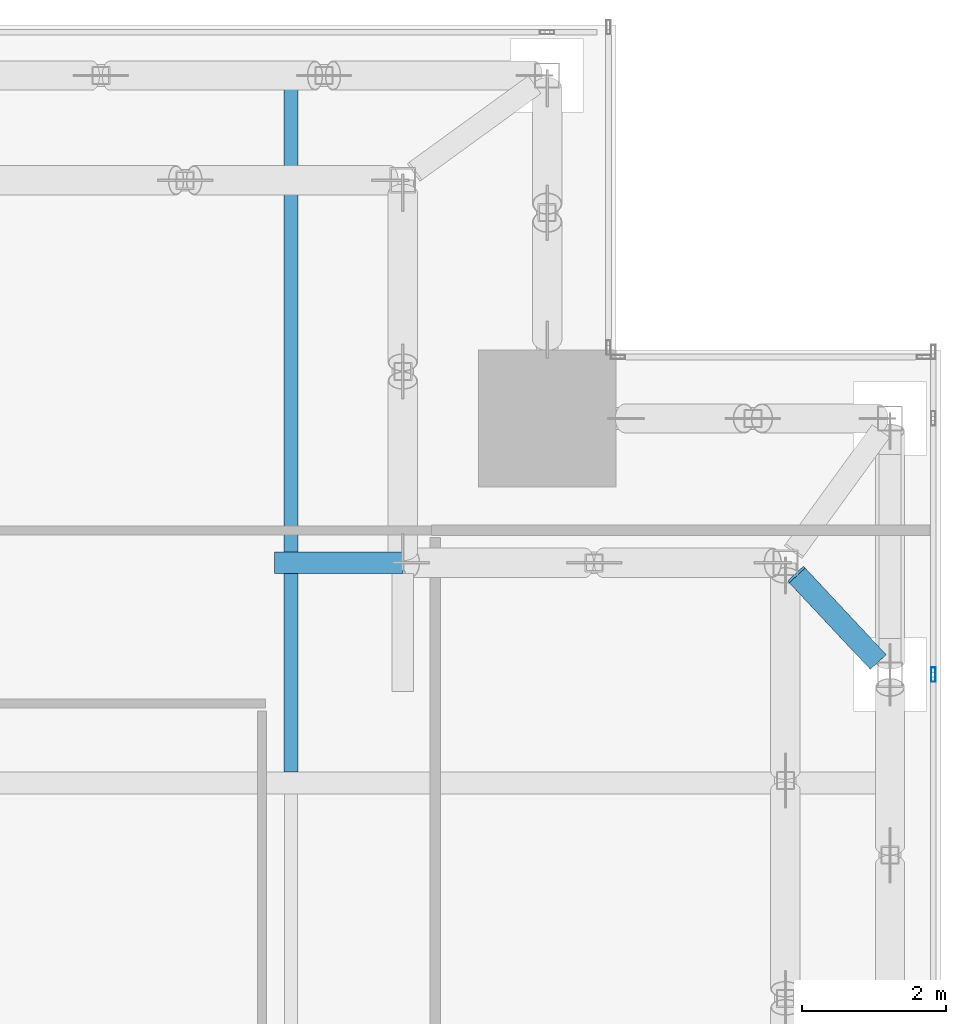
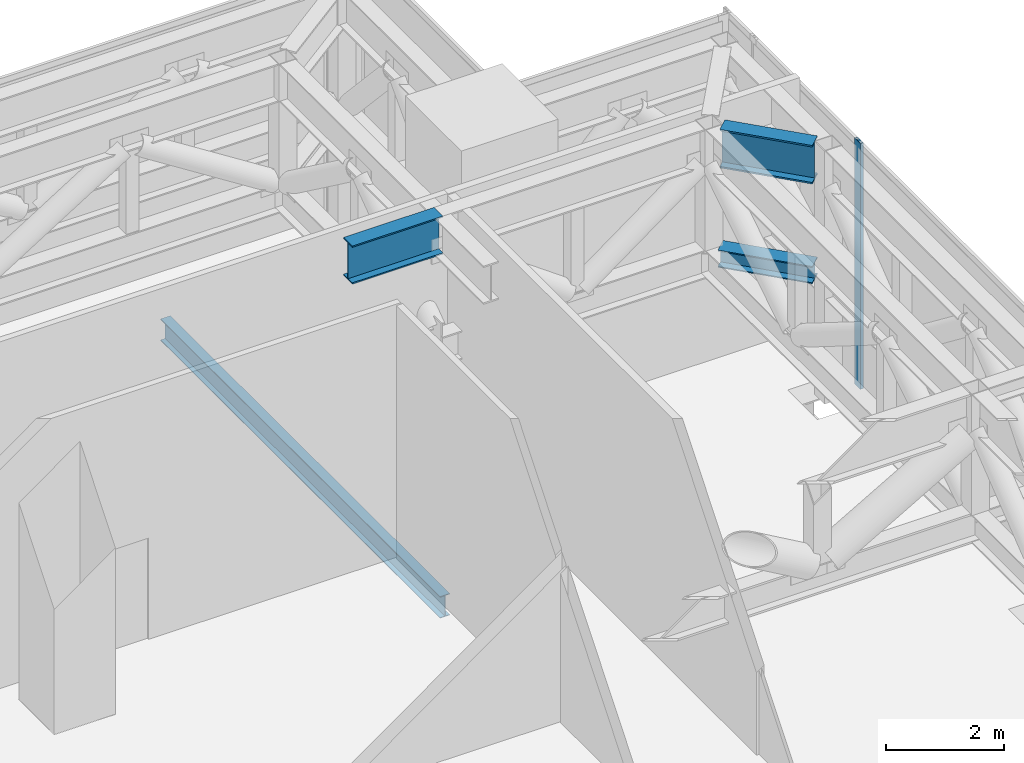
# One storey, part 24 of 36: 3 beams, 2 members, 1 element without a shape of its own.
"""IFC4 building model written with IfcOpenShell, lengths in metres."""

from ifc_helpers import new_model, si_unit, direction, frame, origin, origin_2d, place, context, subcontext, project, spatial, hollow_rectangle, i_section, extrude, source, transform, mapped, material, material_profile, profile_set, type_object, element, aggregate, save


model = new_model("IFC4")

# Units and contexts
model_context = context("Model", 3, precision=1e-05, world=origin(), true_north=direction((0.0, 1.0)))
body_context = subcontext(model_context, "Body", "Model", "MODEL_VIEW")
ifc_project = project(units=[si_unit("LENGTHUNIT", "METRE"), si_unit("AREAUNIT", "SQUARE_METRE"), si_unit("VOLUMEUNIT", "CUBIC_METRE"), si_unit("PLANEANGLEUNIT", "RADIAN"), si_unit("MASSUNIT", "GRAM", prefix="KILO")], contexts=[model_context])

# Site, building, storey
site_placement = place(None, origin())
site = spatial("IfcSite", under=ifc_project, at=site_placement, CompositionType="ELEMENT")
building_placement = place(site_placement, origin())
building = spatial("IfcBuilding", under=site, at=building_placement, Name="Khomas Fold Tower", CompositionType="ELEMENT")
storey_placement = place(building_placement, frame((0.0, 0.0, 216.699951171875)))
storey = spatial("IfcBuildingStorey", under=building, at=storey_placement, Name="L48", CompositionType="ELEMENT", Elevation=216.699951171875)

# Beam
ifc_material_1 = material(Name="Steel S355", Category="steel")
ifc_material_profile_1 = material_profile(ifc_material_1, i_section(OverallWidth=0.18994140625, OverallDepth=0.449951171875, WebThickness=0.009521484375, FlangeThickness=0.0146484375, at=origin_2d()), Name="IPE 450")
ifc_profile_set_1 = profile_set([ifc_material_profile_1], Name="Steel S355")
beam_type_1 = type_object("IfcBeamType", Name="IPE 450 beam JB4", PredefinedType="BEAM", material=ifc_profile_set_1)
shared_shape_1 = source(origin(), body_context, "Body", "SweptSolid", [
    extrude(i_section(OverallWidth=0.18994140625, OverallDepth=0.449951171875, WebThickness=0.009521484375, FlangeThickness=0.0146484375, at=origin_2d()), origin(), (0.0, 0.0, 1.0), 9.5),
])
beam_1_placement = place(storey_placement, frame((42.0, 40.64990234375, -0.625), z_axis=(0.0, 1.0, 0.0), x_axis=(-1.0, 0.0, 0.0)))
element("IfcBeam", 1, at=beam_1_placement, inside=storey, type_object=beam_type_1, Name="JB4", PredefinedType="BEAM", context=body_context, shape_type="MappedRepresentation", body=[
    mapped(shared_shape_1, transform((0.0, 0.0, 0.0))),
])

# Member
ifc_material_2 = material(Name="Steel S355", Category="steel")
ifc_material_profile_2 = material_profile(ifc_material_2, i_section(OverallWidth=0.300048828125, OverallDepth=0.7900390625, WebThickness=0.014892578125, FlangeThickness=0.028076171875, at=origin_2d()), Name="HE 800 A")
ifc_profile_set_2 = profile_set([ifc_material_profile_2], Name="Steel S355")
member_type_1 = type_object("IfcMemberType", Name="BELT TRUSS 3 TOP CHORD SHORTER HE 800 A", PredefinedType="CHORD", material=ifc_profile_set_2)
shared_shape_2 = source(origin(), body_context, "Body", "SweptSolid", [
    extrude(i_section(OverallWidth=0.300048828125, OverallDepth=0.7900390625, WebThickness=0.014892578125, FlangeThickness=0.028076171875, at=origin_2d()), origin(), (0.0, 0.0, 1.0), 1.780029296875),
])
member_1_placement = place(storey_placement, frame((43.550048828125, 43.550048828125, 4.85498046875), z_axis=(-1.0, 0.0, 0.0), x_axis=(0.0, -1.0, 0.0)))
element("IfcMember", 2, at=member_1_placement, inside=storey, type_object=member_type_1, Name="BT3-CTSS", PredefinedType="CHORD", context=body_context, shape_type="MappedRepresentation", body=[
    mapped(shared_shape_2, transform((0.0, 0.0, 0.0))),
])

# Beams
ifc_material_3 = material(Name="Steel S460M", Category="steel")
ifc_material_profile_3 = material_profile(ifc_material_3, i_section(OverallWidth=0.300048828125, OverallDepth=0.800048828125, WebThickness=0.017578125, FlangeThickness=0.032958984375, at=origin_2d()), Name="HE 800 B")
ifc_profile_set_3 = profile_set([ifc_material_profile_3], Name="Steel S460M")
beam_type_2 = type_object("IfcBeamType", Name="BELT TRUSS 3 TOP TRANSFER STRUT HE 800 B", PredefinedType="BEAM", material=ifc_profile_set_3)
shared_shape_3 = source(origin(), body_context, "Body", "SweptSolid", [
    extrude(i_section(OverallWidth=0.300048828125, OverallDepth=0.800048828125, WebThickness=0.017578125, FlangeThickness=0.032958984375, at=origin_2d()), origin(), (0.0, 0.0, 1.0), 1.64306640625),
])
beam_2_placement = place(storey_placement, frame((49.013671875, 43.375, 4.85009765625), z_axis=(0.683164796783, -0.730264240146, 0.0), x_axis=(0.730264240146, 0.683164796783, 0.0)))
element("IfcBeam", 3, at=beam_2_placement, inside=storey, type_object=beam_type_2, Name="BT3-STD", PredefinedType="BEAM", context=body_context, shape_type="MappedRepresentation", body=[
    mapped(shared_shape_3, transform((0.0, 0.0, 0.0))),
])
ifc_material_4 = material(Name="Steel S355", Category="steel")
ifc_material_profile_4 = material_profile(ifc_material_4, i_section(OverallWidth=0.300048828125, OverallDepth=0.360107421875, WebThickness=0.012451171875, FlangeThickness=0.0224609375, at=origin_2d()), Name="HE 360 B")
ifc_profile_set_4 = profile_set([ifc_material_profile_4], Name="Steel S355")
beam_type_3 = type_object("IfcBeamType", Name="BELT TRUSS 3 BOTTOM STRUT HE 360 B", PredefinedType="BEAM", material=ifc_profile_set_4)
shared_shape_4 = source(origin(), body_context, "Body", "SweptSolid", [
    extrude(i_section(OverallWidth=0.300048828125, OverallDepth=0.360107421875, WebThickness=0.012451171875, FlangeThickness=0.0224609375, at=origin_2d()), origin(), (0.0, 0.0, 1.0), 1.677490234375),
])
beam_3_placement = place(storey_placement, frame((48.990234375, 43.39990234375, 2.56005859375), z_axis=(0.68320970901, -0.730222222008, 0.0), x_axis=(0.730222222008, 0.68320970901, 0.0)))
element("IfcBeam", 4, at=beam_3_placement, inside=storey, type_object=beam_type_3, Name="BT3-SB", PredefinedType="BEAM", context=body_context, shape_type="MappedRepresentation", body=[
    mapped(shared_shape_4, transform((0.0, 0.0, 0.0))),
])

# Curtain wall, member
ifc_material_5 = material(Name="Aluminium framed double glazing", Category="aluminium")
curtain_wall_type = type_object("IfcCurtainWallType", Name="SK-Plant louvre wall CW4", PredefinedType="NOTDEFINED", material=ifc_material_5)
curtain_wall_placement = place(storey_placement, origin())
curtain_wall = element("IfcCurtainWall", 5, at=curtain_wall_placement, inside=storey, type_object=curtain_wall_type, Name="CW4 run L48 03-0", PredefinedType="NOTDEFINED")
ifc_material_6 = material(Name="Aluminium", Category="aluminium")
ifc_material_profile_5 = material_profile(ifc_material_6, hollow_rectangle(XDim=0.06005859375, YDim=0.199951171875, WallThickness=0.00390625, at=origin_2d()), Name="SK-Plant louvre wall mullion CW4-M")
ifc_profile_set_5 = profile_set([ifc_material_profile_5], Name="Aluminium")
member_type_2 = type_object("IfcMemberType", Name="SK-Plant louvre wall mullion CW4-M", PredefinedType="MULLION", material=ifc_profile_set_5)
shared_shape_5 = source(origin(), body_context, "Body", "SweptSolid", [
    extrude(hollow_rectangle(XDim=0.06005859375, YDim=0.199951171875, WallThickness=0.00390625, at=origin_2d()), origin(), (0.0, 0.0, 1.0), 5.10009765625),
])
member_2_placement = place(storey_placement, frame((50.89990234375, 42.0, 0.0), z_axis=(0.0, 0.0, 1.0), x_axis=(-1.0, 0.0, 0.0)))
member_2 = element("IfcMember", 6, at=member_2_placement, type_object=member_type_2, Name="CW4 mullion 7", PredefinedType="MULLION", context=body_context, shape_type="MappedRepresentation", body=[
    mapped(shared_shape_5, transform((0.0, 0.0, 0.0))),
])
aggregate(curtain_wall, [member_2])

save(model, "model.ifc")
